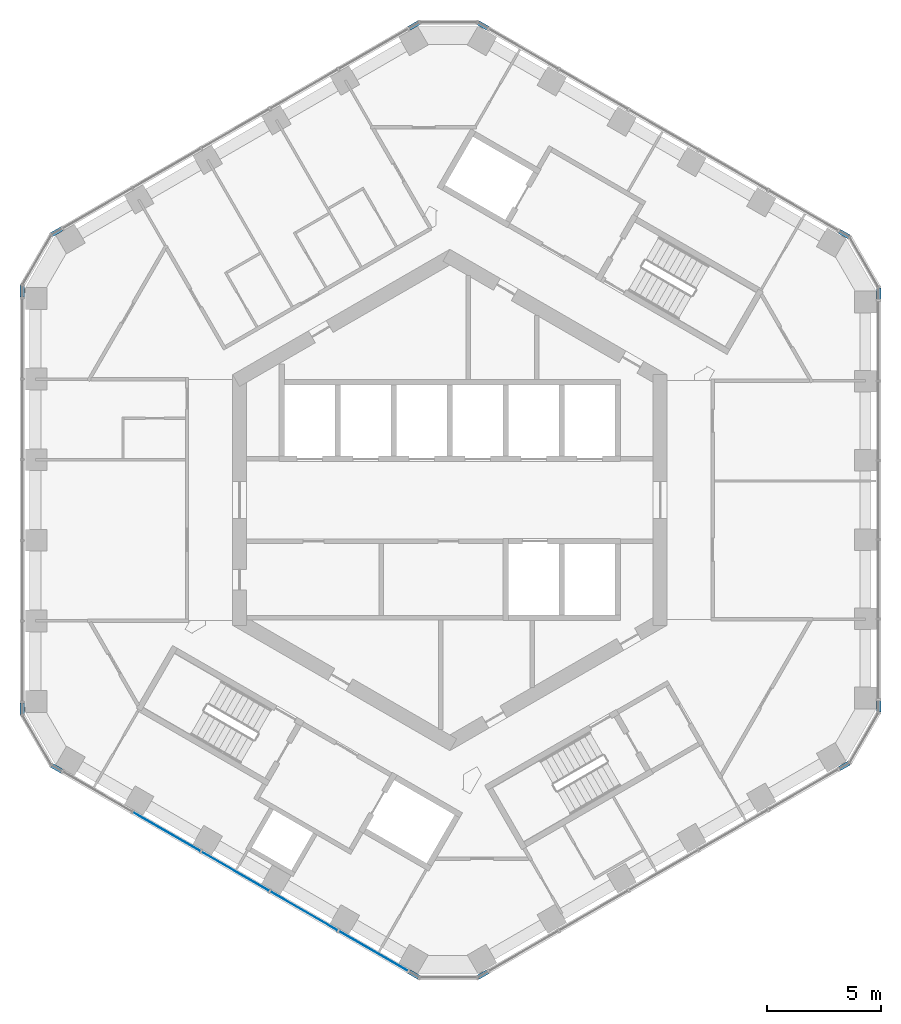
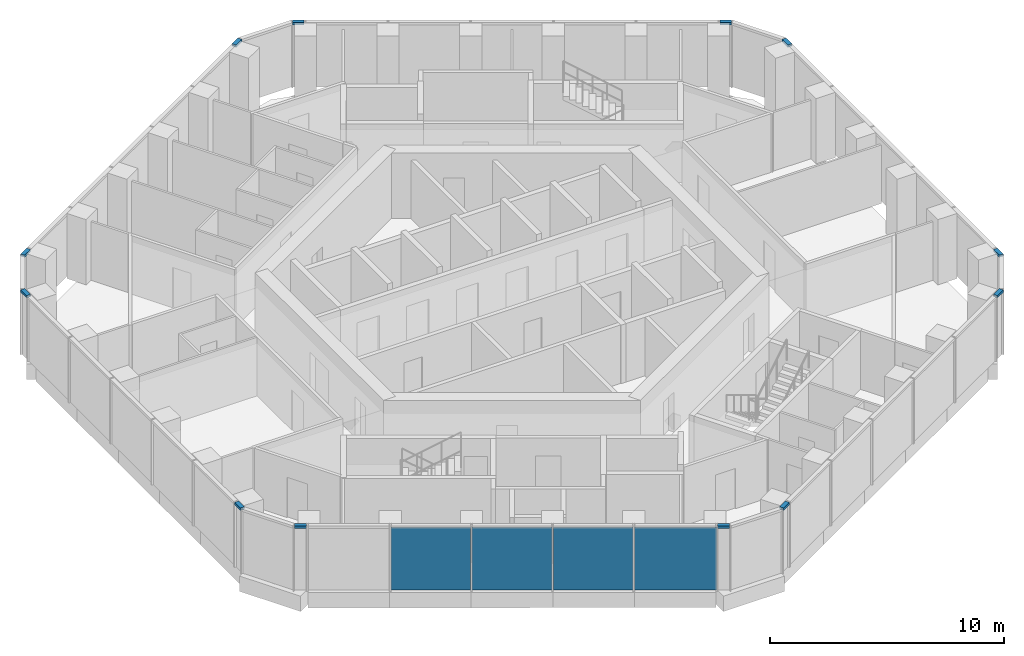
# One storey, part 8 of 19: 12 members, 4 plates, 7 elements without a shape of their own.
"""IFC4 building model written with IfcOpenShell, lengths in metres."""

from ifc_helpers import new_model, si_unit, direction, frame, origin, origin_2d, place, context, subcontext, project, spatial, rectangle, extrude, material, layer, layer_set, material_profile, profile_set, type_object, element, aggregate, save


model = new_model("IFC4")

# Units and contexts
model_context = context("Model", 3, precision=1e-05, world=origin(), true_north=direction((0.0, 1.0)))
body_context = subcontext(model_context, "Body", "Model", "MODEL_VIEW")
ifc_project = project(units=[si_unit("LENGTHUNIT", "METRE"), si_unit("AREAUNIT", "SQUARE_METRE"), si_unit("VOLUMEUNIT", "CUBIC_METRE"), si_unit("PLANEANGLEUNIT", "RADIAN"), si_unit("MASSUNIT", "GRAM", prefix="KILO")], contexts=[model_context])

# Site, building, storey
site_placement = place(None, origin())
site = spatial("IfcSite", under=ifc_project, at=site_placement, CompositionType="ELEMENT")
building_placement = place(site_placement, origin())
building = spatial("IfcBuilding", under=site, at=building_placement, Name="Ayvan Gate Tower", CompositionType="ELEMENT")
storey_placement = place(building_placement, frame((0.0, 0.0, 156.10009765625)))
storey = spatial("IfcBuildingStorey", under=building, at=storey_placement, Name="L41", CompositionType="ELEMENT", Elevation=156.10009765625)

# Curtain wall, members
ifc_material_1 = material(Name="Bronze anodised aluminium", Category="aluminium")
ifc_layer_1 = layer(ifc_material_1, 0.199951171875)
ifc_layer_set_1 = layer_set([ifc_layer_1], Name="Bronze anodised aluminium")
curtain_wall_type_1 = type_object("IfcCurtainWallType", Name="Stick curtain wall CW-6", PredefinedType="NOTDEFINED", material=ifc_layer_set_1)
curtain_wall_1_placement = place(storey_placement, origin())
curtain_wall_1 = element("IfcCurtainWall", 1, at=curtain_wall_1_placement, inside=storey, type_object=curtain_wall_type_1, Name="Stick curtain wall CW-6 L41", PredefinedType="NOTDEFINED")
ifc_material_profile = material_profile(ifc_material_1, rectangle(XDim=0.199951171875, YDim=0.1201171875, at=origin_2d()), Name="Stick curtain wall CW-6 transom 200 x 120")
ifc_profile_set = profile_set([ifc_material_profile], Name="Bronze anodised aluminium")
member_type = type_object("IfcMemberType", Name="Stick curtain wall CW-6 transom 200 x 120", PredefinedType="USERDEFINED", material=ifc_profile_set)
member_1_placement = place(storey_placement, frame((-16.980224609375, 11.8603515625, 3.33984375), z_axis=(-0.866071776036, -0.499919672301, 0.0), x_axis=(0.499919672301, -0.866071776036, 0.0)))
member_1 = element("IfcMember", 2, at=member_1_placement, type_object=member_type, Name="CW-6 transom 1", ObjectType="TRANSOM", PredefinedType="USERDEFINED", context=body_context, shape_type="SweptSolid", body=[
    extrude(rectangle(XDim=0.199951171875, YDim=0.1201171875, at=origin_2d()), origin(), (0.0, 0.0, 1.0), 0.5),
])
member_2_placement = place(storey_placement, frame((-18.7021484375, 9.3779296875, 3.33984375), z_axis=(0.0, -1.0, 0.0), x_axis=(1.0, 0.0, 0.0)))
member_2 = element("IfcMember", 3, at=member_2_placement, type_object=member_type, Name="CW-6 transom 3", ObjectType="TRANSOM", PredefinedType="USERDEFINED", context=body_context, shape_type="SweptSolid", body=[
    extrude(rectangle(XDim=0.199951171875, YDim=0.1201171875, at=origin_2d()), origin(), (0.0, 0.0, 1.0), 0.5),
])
aggregate(curtain_wall_1, [member_1, member_2])

curtain_wall_2_placement = place(storey_placement, origin())
curtain_wall_2 = element("IfcCurtainWall", 4, at=curtain_wall_2_placement, inside=storey, type_object=curtain_wall_type_1, Name="Stick curtain wall CW-6 L41", PredefinedType="NOTDEFINED")
member_3_placement = place(storey_placement, frame((-18.7021484375, -8.8779296875, 3.33984375), z_axis=(0.0, -1.0, 0.0), x_axis=(1.0, 0.0, 0.0)))
member_3 = element("IfcMember", 5, at=member_3_placement, type_object=member_type, Name="CW-6 transom 1", ObjectType="TRANSOM", PredefinedType="USERDEFINED", context=body_context, shape_type="SweptSolid", body=[
    extrude(rectangle(XDim=0.199951171875, YDim=0.1201171875, at=origin_2d()), origin(), (0.0, 0.0, 1.0), 0.5),
])
member_4_placement = place(storey_placement, frame((-17.413330078125, -11.6103515625, 3.33984375), z_axis=(0.866071776036, -0.499919672301, 0.0), x_axis=(0.499919672301, 0.866071776036, 0.0)))
member_4 = element("IfcMember", 6, at=member_4_placement, type_object=member_type, Name="CW-6 transom 3", ObjectType="TRANSOM", PredefinedType="USERDEFINED", context=body_context, shape_type="SweptSolid", body=[
    extrude(rectangle(XDim=0.199951171875, YDim=0.1201171875, at=origin_2d()), origin(), (0.0, 0.0, 1.0), 0.5),
])
aggregate(curtain_wall_2, [member_3, member_4])

curtain_wall_3_placement = place(storey_placement, origin())
curtain_wall_3 = element("IfcCurtainWall", 7, at=curtain_wall_3_placement, inside=storey, type_object=curtain_wall_type_1, Name="Stick curtain wall CW-6 L41", PredefinedType="NOTDEFINED")
member_5_placement = place(storey_placement, frame((-1.78125, -20.635498046875, 3.33984375), z_axis=(0.865949687125, -0.500131122175, 0.0), x_axis=(0.500131122175, 0.865949687125, 0.0)))
member_5 = element("IfcMember", 8, at=member_5_placement, type_object=member_type, Name="CW-6 transom 1", ObjectType="TRANSOM", PredefinedType="USERDEFINED", context=body_context, shape_type="SweptSolid", body=[
    extrude(rectangle(XDim=0.199951171875, YDim=0.1201171875, at=origin_2d()), origin(), (0.0, 0.0, 1.0), 0.499755859375),
])
member_6_placement = place(storey_placement, frame((1.2294921875, -20.885498046875, 3.33984375), z_axis=(0.866071776036, 0.499919672301, 0.0), x_axis=(-0.499919672301, 0.866071776036, 0.0)))
member_6 = element("IfcMember", 9, at=member_6_placement, type_object=member_type, Name="CW-6 transom 3", ObjectType="TRANSOM", PredefinedType="USERDEFINED", context=body_context, shape_type="SweptSolid", body=[
    extrude(rectangle(XDim=0.199951171875, YDim=0.1201171875, at=origin_2d()), origin(), (0.0, 0.0, 1.0), 0.5),
])
aggregate(curtain_wall_3, [member_5, member_6])

curtain_wall_4_placement = place(storey_placement, origin())
curtain_wall_4 = element("IfcCurtainWall", 10, at=curtain_wall_4_placement, inside=storey, type_object=curtain_wall_type_1, Name="Stick curtain wall CW-6 L41", PredefinedType="NOTDEFINED")
member_7_placement = place(storey_placement, frame((17.03955078125, -11.757568359375, 3.33984375), z_axis=(0.866071776036, 0.499919672301, 0.0), x_axis=(-0.499919672301, 0.866071776036, 0.0)))
member_7 = element("IfcMember", 11, at=member_7_placement, type_object=member_type, Name="CW-6 transom 1", ObjectType="TRANSOM", PredefinedType="USERDEFINED", context=body_context, shape_type="SweptSolid", body=[
    extrude(rectangle(XDim=0.199951171875, YDim=0.1201171875, at=origin_2d()), origin(), (0.0, 0.0, 1.0), 0.5),
])
member_8_placement = place(storey_placement, frame((18.761474609375, -9.275146484375, 3.33984375), z_axis=(0.0, 1.0, 0.0), x_axis=(-1.0, 0.0, 0.0)))
member_8 = element("IfcMember", 12, at=member_8_placement, type_object=member_type, Name="CW-6 transom 3", ObjectType="TRANSOM", PredefinedType="USERDEFINED", context=body_context, shape_type="SweptSolid", body=[
    extrude(rectangle(XDim=0.199951171875, YDim=0.1201171875, at=origin_2d()), origin(), (0.0, 0.0, 1.0), 0.5),
])
aggregate(curtain_wall_4, [member_7, member_8])

curtain_wall_5_placement = place(storey_placement, origin())
curtain_wall_5 = element("IfcCurtainWall", 13, at=curtain_wall_5_placement, inside=storey, type_object=curtain_wall_type_1, Name="Stick curtain wall CW-6 L41", PredefinedType="NOTDEFINED")
member_9_placement = place(storey_placement, frame((18.761474609375, 8.775146484375, 3.33984375), z_axis=(0.0, 1.0, 0.0), x_axis=(-1.0, 0.0, 0.0)))
member_9 = element("IfcMember", 14, at=member_9_placement, type_object=member_type, Name="CW-6 transom 1", ObjectType="TRANSOM", PredefinedType="USERDEFINED", context=body_context, shape_type="SweptSolid", body=[
    extrude(rectangle(XDim=0.199951171875, YDim=0.1201171875, at=origin_2d()), origin(), (0.0, 0.0, 1.0), 0.5),
])
member_10_placement = place(storey_placement, frame((17.47265625, 11.507568359375, 3.33984375), z_axis=(-0.866071776036, 0.499919672301, 0.0), x_axis=(-0.499919672301, -0.866071776036, 0.0)))
member_10 = element("IfcMember", 15, at=member_10_placement, type_object=member_type, Name="CW-6 transom 3", ObjectType="TRANSOM", PredefinedType="USERDEFINED", context=body_context, shape_type="SweptSolid", body=[
    extrude(rectangle(XDim=0.199951171875, YDim=0.1201171875, at=origin_2d()), origin(), (0.0, 0.0, 1.0), 0.5),
])
aggregate(curtain_wall_5, [member_9, member_10])

curtain_wall_6_placement = place(storey_placement, origin())
curtain_wall_6 = element("IfcCurtainWall", 16, at=curtain_wall_6_placement, inside=storey, type_object=curtain_wall_type_1, Name="Stick curtain wall CW-6 L41", PredefinedType="NOTDEFINED")
member_11_placement = place(storey_placement, frame((1.66259765625, 20.635498046875, 3.33984375), z_axis=(-0.866071776036, 0.499919672301, 0.0), x_axis=(-0.499919672301, -0.866071776036, 0.0)))
member_11 = element("IfcMember", 17, at=member_11_placement, type_object=member_type, Name="CW-6 transom 1", ObjectType="TRANSOM", PredefinedType="USERDEFINED", context=body_context, shape_type="SweptSolid", body=[
    extrude(rectangle(XDim=0.199951171875, YDim=0.1201171875, at=origin_2d()), origin(), (0.0, 0.0, 1.0), 0.5),
])
member_12_placement = place(storey_placement, frame((-1.348388671875, 20.885498046875, 3.33984375), z_axis=(-0.865949687125, -0.500131122175, 0.0), x_axis=(0.500131122175, -0.865949687125, 0.0)))
member_12 = element("IfcMember", 18, at=member_12_placement, type_object=member_type, Name="CW-6 transom 3", ObjectType="TRANSOM", PredefinedType="USERDEFINED", context=body_context, shape_type="SweptSolid", body=[
    extrude(rectangle(XDim=0.199951171875, YDim=0.1201171875, at=origin_2d()), origin(), (0.0, 0.0, 1.0), 0.499755859375),
])
aggregate(curtain_wall_6, [member_11, member_12])

# Curtain wall, plates
ifc_layer_2 = layer(ifc_material_1, 0.199951171875)
ifc_layer_set_2 = layer_set([ifc_layer_2], Name="Bronze anodised aluminium")
curtain_wall_type_2 = type_object("IfcCurtainWallType", Name="Stick curtain wall CW-2", PredefinedType="NOTDEFINED", material=ifc_layer_set_2)
curtain_wall_7_placement = place(storey_placement, origin())
curtain_wall_7 = element("IfcCurtainWall", 19, at=curtain_wall_7_placement, inside=storey, type_object=curtain_wall_type_2, Name="Stick curtain wall CW-2 L41", PredefinedType="NOTDEFINED")
ifc_material_2 = material(Name="Clear low-iron laminated glass", Category="glass")
ifc_layer_3 = layer(ifc_material_2, 0.028076171875)
ifc_layer_set_3 = layer_set([ifc_layer_3], Name="Clear low-iron laminated glass")
plate_type = type_object("IfcPlateType", Name="Stick curtain wall CW-2 glass panel", PredefinedType="CURTAIN_PANEL", material=ifc_layer_set_3)
plate_1_placement = place(storey_placement, frame((-12.382568359375, -14.514892578125, 0.0), z_axis=(0.0, 0.0, 1.0), x_axis=(0.866025403784, -0.5, 0.0)))
plate_1 = element("IfcPlate", 20, at=plate_1_placement, type_object=plate_type, Name="CW-2 glass panel 2", PredefinedType="CURTAIN_PANEL", context=body_context, shape_type="SweptSolid", body=[
    extrude(rectangle(XDim=3.39599609375, YDim=0.028076171875, at=origin_2d()), origin(), (0.0, 0.0, 1.0), 3.280029296875),
])
plate_2_placement = place(storey_placement, frame((-9.380859375, -16.247802734375, 0.0), z_axis=(0.0, 0.0, 1.0), x_axis=(0.866025403784, -0.5, 0.0)))
plate_2 = element("IfcPlate", 21, at=plate_2_placement, type_object=plate_type, Name="CW-2 glass panel 3", PredefinedType="CURTAIN_PANEL", context=body_context, shape_type="SweptSolid", body=[
    extrude(rectangle(XDim=3.39599609375, YDim=0.028076171875, at=origin_2d()), origin(), (0.0, 0.0, 1.0), 3.280029296875),
])
plate_3_placement = place(storey_placement, frame((-6.379150390625, -17.98095703125, 0.0), z_axis=(0.0, 0.0, 1.0), x_axis=(0.866025403784, -0.5, 0.0)))
plate_3 = element("IfcPlate", 22, at=plate_3_placement, type_object=plate_type, Name="CW-2 glass panel 4", PredefinedType="CURTAIN_PANEL", context=body_context, shape_type="SweptSolid", body=[
    extrude(rectangle(XDim=3.39599609375, YDim=0.028076171875, at=origin_2d()), origin(), (0.0, 0.0, 1.0), 3.280029296875),
])
plate_4_placement = place(storey_placement, frame((-3.329833984375, -19.741455078125, 0.0), z_axis=(0.0, 0.0, 1.0), x_axis=(0.866025403784, -0.5, 0.0)))
plate_4 = element("IfcPlate", 23, at=plate_4_placement, type_object=plate_type, Name="CW-2 glass panel 5", PredefinedType="CURTAIN_PANEL", context=body_context, shape_type="SweptSolid", body=[
    extrude(rectangle(XDim=3.50634765625, YDim=0.028076171875, at=origin_2d()), origin(), (0.0, 0.0, 1.0), 3.280029296875),
])
aggregate(curtain_wall_7, [plate_1, plate_2, plate_3, plate_4])

save(model, "model.ifc")
